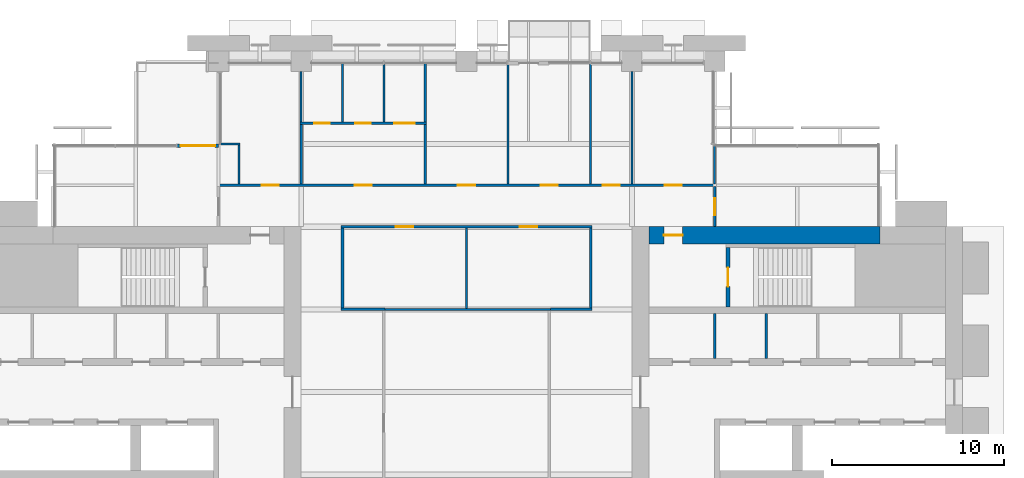
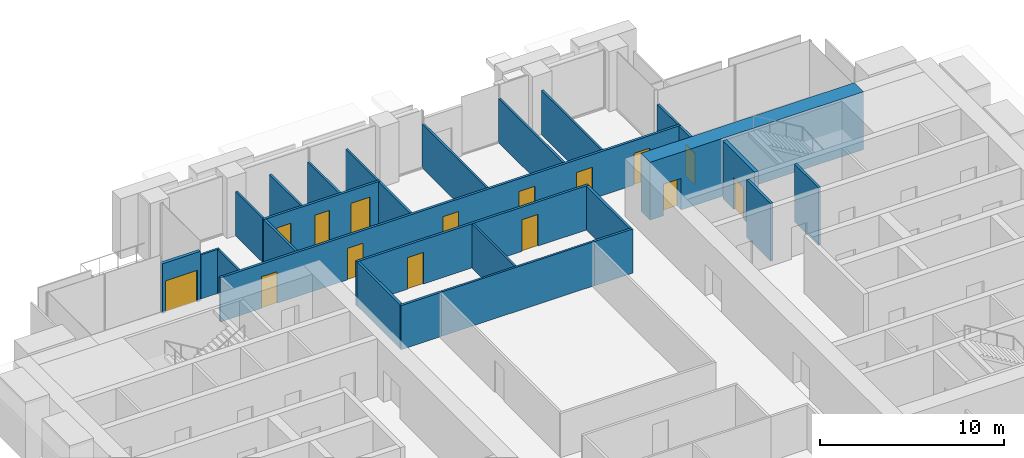
# One storey, part 12 of 15: 27 walls, 15 doors, 15 openings.
"""IFC4 building model written with IfcOpenShell, lengths in metres."""

from ifc_helpers import new_model, si_unit, direction, frame, frame_2d, origin, place, context, subcontext, project, spatial, rectangle, extrude, material, layer, layer_set, type_object, element, fill, save


model = new_model("IFC4")

# Units and contexts
model_context = context("Model", 3, precision=1e-05, world=origin(), true_north=direction((0.0, 1.0)))
body_context = subcontext(model_context, "Body", "Model", "MODEL_VIEW")
ifc_project = project(units=[si_unit("LENGTHUNIT", "METRE"), si_unit("AREAUNIT", "SQUARE_METRE"), si_unit("VOLUMEUNIT", "CUBIC_METRE"), si_unit("PLANEANGLEUNIT", "RADIAN"), si_unit("MASSUNIT", "GRAM", prefix="KILO")], contexts=[model_context])

# Site, building, storey
site_placement = place(None, origin())
site = spatial("IfcSite", under=ifc_project, at=site_placement, CompositionType="ELEMENT")
building_placement = place(site_placement, origin())
building = spatial("IfcBuilding", under=site, at=building_placement, Name="Baori Bourse Tower", CompositionType="ELEMENT")
storey_placement = place(building_placement, frame((0.0, 0.0, 116.10009765625)))
storey = spatial("IfcBuildingStorey", under=building, at=storey_placement, Name="L24", CompositionType="ELEMENT", Elevation=116.10009765625)

# Walls
ifc_material_1 = material(Name="Blockwork partition", Category="masonry")
ifc_layer_1 = layer(ifc_material_1, 0.14990234375)
ifc_layer_set_1 = layer_set([ifc_layer_1], Name="Core partition 150")
wall_type_1 = type_object("IfcWallType", Name="Core partition 150", PredefinedType="PARTITIONING", material=ifc_layer_set_1)
for number, where, z_axis, x_axis, name in (
    (1, (46.199951171875, 30.75, 0.0), (0.0, 0.0, 1.0), (0.0, 1.0, 0.0), "Partition wall E23"),
    (2, (43.199951171875, 30.75, 0.0), (0.0, 0.0, 1.0), (0.0, 1.0, 0.0), "Partition wall E24"),
):
    element("IfcWall", number, at=place(storey_placement, frame(where, z_axis=z_axis, x_axis=x_axis)), inside=storey, type_object=wall_type_1, Name=name, PredefinedType="PARTITIONING", context=body_context, shape_type="SweptSolid", body=[
        extrude(rectangle(XDim=2.60009765625, YDim=0.14990234375, at=frame_2d((1.300048828125, 0.0))), origin(), (0.0, 0.0, 1.0), 3.83984375),
    ])

# Wall, opening, door
ifc_material_2 = material(Name="Concrete f'c 60 MPa", Category="concrete")
ifc_layer_2 = layer(ifc_material_2, 1.0)
ifc_layer_set_2 = layer_set([ifc_layer_2], Name="Core wall 1000 f'c 60")
wall_type_2 = type_object("IfcWallType", Name="Core wall 1000 f'c 60", PredefinedType="SHEAR", material=ifc_layer_set_2)
wall_1_placement = place(storey_placement, frame((39.39990234375, 37.89990234375, 0.0), z_axis=(0.0, 0.0, 1.0), x_axis=(1.0, 0.0, 0.0)))
wall_1 = element("IfcWall", 3, at=wall_1_placement, inside=storey, type_object=wall_type_2, Name="Core wall E30", PredefinedType="SHEAR", context=body_context, shape_type="SweptSolid", body=[
    extrude(rectangle(XDim=13.400146484375, YDim=1.0, at=frame_2d((6.7001953125, 0.0))), origin(), (0.0, 0.0, 1.0), 3.83984375),
])
opening_1_placement = place(wall_1_placement, frame((0.85009765625, 0.0, 0.0)))
opening_1 = element("IfcOpeningElement", 4, at=opening_1_placement, cuts=wall_1, Name="Opening L24-D204", PredefinedType="OPENING", context=body_context, shape_type="SweptSolid", body=[
    extrude(rectangle(XDim=1.10009765625, YDim=2.10009765625, at=frame_2d((0.550048828125, 1.050048828125))), frame((0.0, 0.510009765625, 0.0), z_axis=(0.0, -1.0, 0.0), x_axis=(1.0, 0.0, 0.0)), (0.0, 0.0, 1.0), 1.02001953125),
])
ifc_material_3 = material(Name="Painted steel door", Category="steel")
door_type_1 = type_object("IfcDoorType", Name="Stair door 1100", OperationType="SINGLE_SWING_LEFT", PredefinedType="DOOR", material=ifc_material_3)
door_1_placement = place(opening_1_placement, origin())
door_1 = element("IfcDoor", 5, at=door_1_placement, inside=storey, type_object=door_type_1, Name="Stair vestibule door B E L24", OperationType="SINGLE_SWING_LEFT", OverallHeight=2.10009765625, OverallWidth=1.10009765625, PredefinedType="DOOR", context=body_context, shape_type="SweptSolid", body=[
    extrude(rectangle(XDim=1.10009765625, YDim=2.10009765625, at=frame_2d((0.550048828125, 1.050048828125))), frame((0.0, 0.02490234375, 0.0), z_axis=(0.0, -1.0, 0.0), x_axis=(1.0, 0.0, 0.0)), (0.0, 0.0, 1.0), 0.050048828125),
])
fill(opening_1, door_1)

# Walls
ifc_material_4 = material(Name="Gypsum board partition")
ifc_layer_3 = layer(ifc_material_4, 0.14990234375)
ifc_layer_set_3 = layer_set([ifc_layer_3], Name="Corridor partition 150")
wall_type_3 = type_object("IfcWallType", Name="Corridor partition 150", PredefinedType="PARTITIONING", material=ifc_layer_set_3)
wall_2_placement = place(storey_placement, frame((21.52490234375, 33.60009765625, 0.0), z_axis=(0.0, 0.0, 1.0), x_axis=(1.0, 0.0, 0.0)))
element("IfcWall", 6, at=wall_2_placement, inside=storey, type_object=wall_type_3, Name="Partition", PredefinedType="PARTITIONING", context=body_context, shape_type="SweptSolid", body=[
    extrude(rectangle(XDim=2.550048828125, YDim=0.14990234375, at=frame_2d((1.27490234375, 0.0))), origin(), (0.0, 0.0, 1.0), 2.935546875),
])
wall_3_placement = place(storey_placement, frame((33.675048828125, 33.60009765625, 0.0), z_axis=(0.0, 0.0, 1.0), x_axis=(1.0, 0.0, 0.0)))
element("IfcWall", 7, at=wall_3_placement, inside=storey, type_object=wall_type_3, Name="Partition", PredefinedType="PARTITIONING", context=body_context, shape_type="SweptSolid", body=[
    extrude(rectangle(XDim=2.39990234375, YDim=0.14990234375, at=frame_2d((1.199951171875, 0.0))), origin(), (0.0, 0.0, 1.0), 2.935546875),
])

# Wall, openings, doors
wall_4_placement = place(storey_placement, frame((21.52490234375, 38.39990234375, 0.0), z_axis=(0.0, 0.0, 1.0), x_axis=(1.0, 0.0, 0.0)))
wall_4 = element("IfcWall", 8, at=wall_4_placement, inside=storey, type_object=wall_type_3, Name="Partition", PredefinedType="PARTITIONING", context=body_context, shape_type="SweptSolid", body=[
    extrude(rectangle(XDim=14.550048828125, YDim=0.14990234375, at=frame_2d((7.27490234375, 0.0))), origin(), (0.0, 0.0, 1.0), 2.935546875),
])
opening_2_placement = place(wall_4_placement, frame((3.175048828125, 0.0, 0.0)))
opening_2 = element("IfcOpeningElement", 9, at=opening_2_placement, cuts=wall_4, Name="Opening L24-D10", PredefinedType="OPENING", context=body_context, shape_type="SweptSolid", body=[
    extrude(rectangle(XDim=1.0, YDim=2.10009765625, at=frame_2d((0.5, 1.050048828125))), frame((0.0, 0.0849609375, 0.0), z_axis=(0.0, -1.0, 0.0), x_axis=(1.0, 0.0, 0.0)), (0.0, 0.0, 1.0), 0.169921875),
])
opening_3_placement = place(wall_4_placement, frame((10.375, 0.0, 0.0)))
opening_3 = element("IfcOpeningElement", 10, at=opening_3_placement, cuts=wall_4, Name="Opening L24-D11", PredefinedType="OPENING", context=body_context, shape_type="SweptSolid", body=[
    extrude(rectangle(XDim=1.0, YDim=2.10009765625, at=frame_2d((0.5, 1.050048828125))), frame((0.0, 0.0849609375, 0.0), z_axis=(0.0, -1.0, 0.0), x_axis=(1.0, 0.0, 0.0)), (0.0, 0.0, 1.0), 0.169921875),
])
ifc_material_5 = material(Name="Timber door leaf", Category="wood")
door_type_2 = type_object("IfcDoorType", Name="Door 1000 x 2100", OperationType="SINGLE_SWING_LEFT", PredefinedType="DOOR", material=ifc_material_5)
door_2_placement = place(opening_2_placement, origin())
door_2 = element("IfcDoor", 11, at=door_2_placement, inside=storey, type_object=door_type_2, Name="Door", OperationType="SINGLE_SWING_LEFT", OverallHeight=2.10009765625, OverallWidth=1.0, PredefinedType="DOOR", context=body_context, shape_type="SweptSolid", body=[
    extrude(rectangle(XDim=1.0, YDim=2.10009765625, at=frame_2d((0.5, 1.050048828125))), frame((0.0, 0.02490234375, 0.0), z_axis=(0.0, -1.0, 0.0), x_axis=(1.0, 0.0, 0.0)), (0.0, 0.0, 1.0), 0.050048828125),
])
fill(opening_2, door_2)
door_3_placement = place(opening_3_placement, origin())
door_3 = element("IfcDoor", 12, at=door_3_placement, inside=storey, type_object=door_type_2, Name="Door", OperationType="SINGLE_SWING_RIGHT", OverallHeight=2.10009765625, OverallWidth=1.0, PredefinedType="DOOR", context=body_context, shape_type="SweptSolid", body=[
    extrude(rectangle(XDim=1.0, YDim=2.10009765625, at=frame_2d((0.5, 1.050048828125))), frame((0.0, 0.02490234375, 0.0), z_axis=(0.0, -1.0, 0.0), x_axis=(1.0, 0.0, 0.0)), (0.0, 0.0, 1.0), 0.050048828125),
])
fill(opening_3, door_3)

wall_5_placement = place(storey_placement, frame((14.324951171875, 40.800048828125, 0.0), z_axis=(0.0, 0.0, 1.0), x_axis=(1.0, 0.0, 0.0)))
wall_5 = element("IfcWall", 13, at=wall_5_placement, inside=storey, type_object=wall_type_3, Name="Partition", PredefinedType="PARTITIONING", context=body_context, shape_type="SweptSolid", body=[
    extrude(rectangle(XDim=28.949951171875, YDim=0.14990234375, at=frame_2d((14.47509765625, 0.0))), origin(), (0.0, 0.0, 1.0), 2.935546875),
])
opening_4_placement = place(wall_5_placement, frame((2.574951171875, 0.0, 0.0)))
opening_4 = element("IfcOpeningElement", 14, at=opening_4_placement, cuts=wall_5, Name="Opening L24-D12", PredefinedType="OPENING", context=body_context, shape_type="SweptSolid", body=[
    extrude(rectangle(XDim=1.0, YDim=2.10009765625, at=frame_2d((0.5, 1.050048828125))), frame((0.0, 0.0849609375, 0.0), z_axis=(0.0, -1.0, 0.0), x_axis=(1.0, 0.0, 0.0)), (0.0, 0.0, 1.0), 0.169921875),
])
opening_5_placement = place(wall_5_placement, frame((7.97509765625, 0.0, 0.0)))
opening_5 = element("IfcOpeningElement", 15, at=opening_5_placement, cuts=wall_5, Name="Opening L24-D13", PredefinedType="OPENING", context=body_context, shape_type="SweptSolid", body=[
    extrude(rectangle(XDim=1.0, YDim=2.10009765625, at=frame_2d((0.5, 1.050048828125))), frame((0.0, 0.0849609375, 0.0), z_axis=(0.0, -1.0, 0.0), x_axis=(1.0, 0.0, 0.0)), (0.0, 0.0, 1.0), 0.169921875),
])
opening_6_placement = place(wall_5_placement, frame((13.97509765625, 0.0, 0.0)))
opening_6 = element("IfcOpeningElement", 16, at=opening_6_placement, cuts=wall_5, Name="Opening L24-D14", PredefinedType="OPENING", context=body_context, shape_type="SweptSolid", body=[
    extrude(rectangle(XDim=1.0, YDim=2.10009765625, at=frame_2d((0.5, 1.050048828125))), frame((0.0, 0.0849609375, 0.0), z_axis=(0.0, -1.0, 0.0), x_axis=(1.0, 0.0, 0.0)), (0.0, 0.0, 1.0), 0.169921875),
])
opening_7_placement = place(wall_5_placement, frame((18.77490234375, 0.0, 0.0)))
opening_7 = element("IfcOpeningElement", 17, at=opening_7_placement, cuts=wall_5, Name="Opening L24-D15", PredefinedType="OPENING", context=body_context, shape_type="SweptSolid", body=[
    extrude(rectangle(XDim=1.0, YDim=2.10009765625, at=frame_2d((0.5, 1.050048828125))), frame((0.0, 0.0849609375, 0.0), z_axis=(0.0, -1.0, 0.0), x_axis=(1.0, 0.0, 0.0)), (0.0, 0.0, 1.0), 0.169921875),
])
opening_8_placement = place(wall_5_placement, frame((22.375, 0.0, 0.0)))
opening_8 = element("IfcOpeningElement", 18, at=opening_8_placement, cuts=wall_5, Name="Opening L24-D16", PredefinedType="OPENING", context=body_context, shape_type="SweptSolid", body=[
    extrude(rectangle(XDim=1.0, YDim=2.10009765625, at=frame_2d((0.5, 1.050048828125))), frame((0.0, 0.0849609375, 0.0), z_axis=(0.0, -1.0, 0.0), x_axis=(1.0, 0.0, 0.0)), (0.0, 0.0, 1.0), 0.169921875),
])
opening_9_placement = place(wall_5_placement, frame((25.97509765625, 0.0, 0.0)))
opening_9 = element("IfcOpeningElement", 19, at=opening_9_placement, cuts=wall_5, Name="Opening L24-D17", PredefinedType="OPENING", context=body_context, shape_type="SweptSolid", body=[
    extrude(rectangle(XDim=1.0, YDim=2.10009765625, at=frame_2d((0.5, 1.050048828125))), frame((0.0, 0.0849609375, 0.0), z_axis=(0.0, -1.0, 0.0), x_axis=(1.0, 0.0, 0.0)), (0.0, 0.0, 1.0), 0.169921875),
])
door_4_placement = place(opening_4_placement, origin())
door_4 = element("IfcDoor", 20, at=door_4_placement, inside=storey, type_object=door_type_2, Name="Door", OperationType="SINGLE_SWING_RIGHT", OverallHeight=2.10009765625, OverallWidth=1.0, PredefinedType="DOOR", context=body_context, shape_type="SweptSolid", body=[
    extrude(rectangle(XDim=1.0, YDim=2.10009765625, at=frame_2d((0.5, 1.050048828125))), frame((0.0, 0.02490234375, 0.0), z_axis=(0.0, -1.0, 0.0), x_axis=(1.0, 0.0, 0.0)), (0.0, 0.0, 1.0), 0.050048828125),
])
fill(opening_4, door_4)
door_5_placement = place(opening_5_placement, origin())
door_5 = element("IfcDoor", 21, at=door_5_placement, inside=storey, type_object=door_type_2, Name="Door", OperationType="SINGLE_SWING_LEFT", OverallHeight=2.10009765625, OverallWidth=1.0, PredefinedType="DOOR", context=body_context, shape_type="SweptSolid", body=[
    extrude(rectangle(XDim=1.0, YDim=2.10009765625, at=frame_2d((0.5, 1.050048828125))), frame((0.0, 0.02490234375, 0.0), z_axis=(0.0, -1.0, 0.0), x_axis=(1.0, 0.0, 0.0)), (0.0, 0.0, 1.0), 0.050048828125),
])
fill(opening_5, door_5)
door_6_placement = place(opening_6_placement, origin())
door_6 = element("IfcDoor", 22, at=door_6_placement, inside=storey, type_object=door_type_2, Name="Door", OperationType="SINGLE_SWING_LEFT", OverallHeight=2.10009765625, OverallWidth=1.0, PredefinedType="DOOR", context=body_context, shape_type="SweptSolid", body=[
    extrude(rectangle(XDim=1.0, YDim=2.10009765625, at=frame_2d((0.5, 1.050048828125))), frame((0.0, 0.02490234375, 0.0), z_axis=(0.0, -1.0, 0.0), x_axis=(1.0, 0.0, 0.0)), (0.0, 0.0, 1.0), 0.050048828125),
])
fill(opening_6, door_6)
door_7_placement = place(opening_7_placement, origin())
door_7 = element("IfcDoor", 23, at=door_7_placement, inside=storey, type_object=door_type_2, Name="Door", OperationType="SINGLE_SWING_LEFT", OverallHeight=2.10009765625, OverallWidth=1.0, PredefinedType="DOOR", context=body_context, shape_type="SweptSolid", body=[
    extrude(rectangle(XDim=1.0, YDim=2.10009765625, at=frame_2d((0.5, 1.050048828125))), frame((0.0, 0.02490234375, 0.0), z_axis=(0.0, -1.0, 0.0), x_axis=(1.0, 0.0, 0.0)), (0.0, 0.0, 1.0), 0.050048828125),
])
fill(opening_7, door_7)
door_8_placement = place(opening_8_placement, origin())
door_8 = element("IfcDoor", 24, at=door_8_placement, inside=storey, type_object=door_type_2, Name="Door", OperationType="SINGLE_SWING_LEFT", OverallHeight=2.10009765625, OverallWidth=1.0, PredefinedType="DOOR", context=body_context, shape_type="SweptSolid", body=[
    extrude(rectangle(XDim=1.0, YDim=2.10009765625, at=frame_2d((0.5, 1.050048828125))), frame((0.0, 0.02490234375, 0.0), z_axis=(0.0, -1.0, 0.0), x_axis=(1.0, 0.0, 0.0)), (0.0, 0.0, 1.0), 0.050048828125),
])
fill(opening_8, door_8)
door_9_placement = place(opening_9_placement, origin())
door_9 = element("IfcDoor", 25, at=door_9_placement, inside=storey, type_object=door_type_2, Name="Door", OperationType="SINGLE_SWING_LEFT", OverallHeight=2.10009765625, OverallWidth=1.0, PredefinedType="DOOR", context=body_context, shape_type="SweptSolid", body=[
    extrude(rectangle(XDim=1.0, YDim=2.10009765625, at=frame_2d((0.5, 1.050048828125))), frame((0.0, 0.02490234375, 0.0), z_axis=(0.0, -1.0, 0.0), x_axis=(1.0, 0.0, 0.0)), (0.0, 0.0, 1.0), 0.050048828125),
])
fill(opening_9, door_9)

wall_6_placement = place(storey_placement, frame((19.125, 44.39990234375, 0.0), z_axis=(0.0, 0.0, 1.0), x_axis=(1.0, 0.0, 0.0)))
wall_6 = element("IfcWall", 26, at=wall_6_placement, inside=storey, type_object=wall_type_3, Name="Partition", PredefinedType="PARTITIONING", context=body_context, shape_type="SweptSolid", body=[
    extrude(rectangle(XDim=7.35009765625, YDim=0.14990234375, at=frame_2d((3.675048828125, 0.0))), origin(), (0.0, 0.0, 1.0), 2.935546875),
])
opening_10_placement = place(wall_6_placement, frame((0.824951171875, 0.0, 0.0)))
opening_10 = element("IfcOpeningElement", 27, at=opening_10_placement, cuts=wall_6, Name="Opening L24-D18", PredefinedType="OPENING", context=body_context, shape_type="SweptSolid", body=[
    extrude(rectangle(XDim=0.89990234375, YDim=2.10009765625, at=frame_2d((0.449951171875, 1.050048828125))), frame((0.0, 0.0849609375, 0.0), z_axis=(0.0, -1.0, 0.0), x_axis=(1.0, 0.0, 0.0)), (0.0, 0.0, 1.0), 0.169921875),
])
opening_11_placement = place(wall_6_placement, frame((3.22509765625, 0.0, 0.0)))
opening_11 = element("IfcOpeningElement", 28, at=opening_11_placement, cuts=wall_6, Name="Opening L24-D19", PredefinedType="OPENING", context=body_context, shape_type="SweptSolid", body=[
    extrude(rectangle(XDim=0.89990234375, YDim=2.10009765625, at=frame_2d((0.449951171875, 1.050048828125))), frame((0.0, 0.0849609375, 0.0), z_axis=(0.0, -1.0, 0.0), x_axis=(1.0, 0.0, 0.0)), (0.0, 0.0, 1.0), 0.169921875),
])
opening_12_placement = place(wall_6_placement, frame((5.47509765625, 0.0, 0.0)))
opening_12 = element("IfcOpeningElement", 29, at=opening_12_placement, cuts=wall_6, Name="Opening L24-D20", PredefinedType="OPENING", context=body_context, shape_type="SweptSolid", body=[
    extrude(rectangle(XDim=1.199951171875, YDim=2.10009765625, at=frame_2d((0.60009765625, 1.050048828125))), frame((0.0, 0.0849609375, 0.0), z_axis=(0.0, -1.0, 0.0), x_axis=(1.0, 0.0, 0.0)), (0.0, 0.0, 1.0), 0.169921875),
])
ifc_material_6 = material(Name="Timber door leaf", Category="wood")
door_type_3 = type_object("IfcDoorType", Name="Door 1200 x 2100", OperationType="SINGLE_SWING_LEFT", PredefinedType="DOOR", material=ifc_material_6)
door_10_placement = place(opening_12_placement, origin())
door_10 = element("IfcDoor", 30, at=door_10_placement, inside=storey, type_object=door_type_3, Name="Door", OperationType="SINGLE_SWING_LEFT", OverallHeight=2.10009765625, OverallWidth=1.199951171875, PredefinedType="DOOR", context=body_context, shape_type="SweptSolid", body=[
    extrude(rectangle(XDim=1.199951171875, YDim=2.10009765625, at=frame_2d((0.60009765625, 1.050048828125))), frame((0.0, 0.02490234375, 0.0), z_axis=(0.0, -1.0, 0.0), x_axis=(1.0, 0.0, 0.0)), (0.0, 0.0, 1.0), 0.050048828125),
])
fill(opening_12, door_10)
ifc_material_7 = material(Name="Timber door leaf", Category="wood")
door_type_4 = type_object("IfcDoorType", Name="Door 900 x 2100", OperationType="SINGLE_SWING_LEFT", PredefinedType="DOOR", material=ifc_material_7)
door_11_placement = place(opening_10_placement, origin())
door_11 = element("IfcDoor", 31, at=door_11_placement, inside=storey, type_object=door_type_4, Name="Door", OperationType="SINGLE_SWING_RIGHT", OverallHeight=2.10009765625, OverallWidth=0.89990234375, PredefinedType="DOOR", context=body_context, shape_type="SweptSolid", body=[
    extrude(rectangle(XDim=0.89990234375, YDim=2.10009765625, at=frame_2d((0.449951171875, 1.050048828125))), frame((0.0, 0.02490234375, 0.0), z_axis=(0.0, -1.0, 0.0), x_axis=(1.0, 0.0, 0.0)), (0.0, 0.0, 1.0), 0.050048828125),
])
fill(opening_10, door_11)
door_12_placement = place(opening_11_placement, origin())
door_12 = element("IfcDoor", 32, at=door_12_placement, inside=storey, type_object=door_type_4, Name="Door", OperationType="SINGLE_SWING_RIGHT", OverallHeight=2.10009765625, OverallWidth=0.89990234375, PredefinedType="DOOR", context=body_context, shape_type="SweptSolid", body=[
    extrude(rectangle(XDim=0.89990234375, YDim=2.10009765625, at=frame_2d((0.449951171875, 1.050048828125))), frame((0.0, 0.02490234375, 0.0), z_axis=(0.0, -1.0, 0.0), x_axis=(1.0, 0.0, 0.0)), (0.0, 0.0, 1.0), 0.050048828125),
])
fill(opening_11, door_12)

# Walls
wall_7_placement = place(storey_placement, frame((19.199951171875, 40.875, 0.0), z_axis=(0.0, 0.0, 1.0), x_axis=(0.0, 1.0, 0.0)))
element("IfcWall", 33, at=wall_7_placement, inside=storey, type_object=wall_type_3, Name="Partition", PredefinedType="PARTITIONING", context=body_context, shape_type="SweptSolid", body=[
    extrude(rectangle(XDim=3.449951171875, YDim=0.14990234375, at=frame_2d((1.72509765625, 0.0))), origin(), (0.0, 0.0, 1.0), 2.935546875),
])
wall_8_placement = place(storey_placement, frame((21.60009765625, 33.675048828125, 0.0), z_axis=(0.0, 0.0, 1.0), x_axis=(0.0, 1.0, 0.0)))
element("IfcWall", 34, at=wall_8_placement, inside=storey, type_object=wall_type_3, Name="Partition", PredefinedType="PARTITIONING", context=body_context, shape_type="SweptSolid", body=[
    extrude(rectangle(XDim=4.64990234375, YDim=0.14990234375, at=frame_2d((2.324951171875, 0.0))), origin(), (0.0, 0.0, 1.0), 2.935546875),
])
wall_9_placement = place(storey_placement, frame((26.39990234375, 40.875, 0.0), z_axis=(0.0, 0.0, 1.0), x_axis=(0.0, 1.0, 0.0)))
element("IfcWall", 35, at=wall_9_placement, inside=storey, type_object=wall_type_3, Name="Partition", PredefinedType="PARTITIONING", context=body_context, shape_type="SweptSolid", body=[
    extrude(rectangle(XDim=3.449951171875, YDim=0.14990234375, at=frame_2d((1.72509765625, 0.0))), origin(), (0.0, 0.0, 1.0), 2.935546875),
])
wall_10_placement = place(storey_placement, frame((36.0, 33.675048828125, 0.0), z_axis=(0.0, 0.0, 1.0), x_axis=(0.0, 1.0, 0.0)))
element("IfcWall", 36, at=wall_10_placement, inside=storey, type_object=wall_type_3, Name="Partition", PredefinedType="PARTITIONING", context=body_context, shape_type="SweptSolid", body=[
    extrude(rectangle(XDim=4.64990234375, YDim=0.14990234375, at=frame_2d((2.324951171875, 0.0))), origin(), (0.0, 0.0, 1.0), 2.935546875),
])

# Wall, opening, door
wall_11_placement = place(storey_placement, frame((43.199951171875, 38.39990234375, 0.0), z_axis=(0.0, 0.0, 1.0), x_axis=(0.0, 1.0, 0.0)))
wall_11 = element("IfcWall", 37, at=wall_11_placement, inside=storey, type_object=wall_type_3, Name="Partition", PredefinedType="PARTITIONING", context=body_context, shape_type="SweptSolid", body=[
    extrude(rectangle(XDim=2.3251953125, YDim=0.14990234375, at=frame_2d((1.16259765625, 0.0))), origin(), (0.0, 0.0, 1.0), 2.935546875),
])
opening_13_placement = place(wall_11_placement, frame((0.66259765625, 0.0, 0.0)))
opening_13 = element("IfcOpeningElement", 38, at=opening_13_placement, cuts=wall_11, Name="Opening L24-D25", PredefinedType="OPENING", context=body_context, shape_type="SweptSolid", body=[
    extrude(rectangle(XDim=1.0, YDim=2.10009765625, at=frame_2d((0.5, 1.050048828125))), frame((0.0, 0.0849609375, 0.0), z_axis=(0.0, -1.0, 0.0), x_axis=(1.0, 0.0, 0.0)), (0.0, 0.0, 1.0), 0.169921875),
])
door_13_placement = place(opening_13_placement, origin())
door_13 = element("IfcDoor", 39, at=door_13_placement, inside=storey, type_object=door_type_2, Name="Door", OperationType="SINGLE_SWING_LEFT", OverallHeight=2.10009765625, OverallWidth=1.0, PredefinedType="DOOR", context=body_context, shape_type="SweptSolid", body=[
    extrude(rectangle(XDim=1.0, YDim=2.10009765625, at=frame_2d((0.5, 1.050048828125))), frame((0.0, 0.02490234375, 0.0), z_axis=(0.0, -1.0, 0.0), x_axis=(1.0, 0.0, 0.0)), (0.0, 0.0, 1.0), 0.050048828125),
])
fill(opening_13, door_13)

ifc_material_8 = material(Name="Pale anodised aluminium", Category="aluminium")
ifc_layer_4 = layer(ifc_material_8, 0.199951171875)
ifc_layer_set_4 = layer_set([ifc_layer_4], Name="EW1 External wall bay")
wall_type_4 = type_object("IfcWallType", Name="EW1 External wall bay", PredefinedType="SOLIDWALL", material=ifc_layer_set_4)
wall_12_placement = place(storey_placement, frame((14.39990234375, 43.10009765625, 0.0), z_axis=(0.0, 0.0, 1.0), x_axis=(-1.0, 0.0, 0.0)))
wall_12 = element("IfcWall", 40, at=wall_12_placement, inside=storey, type_object=wall_type_4, Name="External wall bay L24 2", PredefinedType="SOLIDWALL", context=body_context, shape_type="SweptSolid", body=[
    extrude(rectangle(XDim=2.39990234375, YDim=0.199951171875, at=frame_2d((1.199951171875, 0.0))), origin(), (0.0, 0.0, 1.0), 3.29638671875),
])
opening_14_placement = place(wall_12_placement, frame((0.199951171875, 0.0, 0.0)))
opening_14 = element("IfcOpeningElement", 41, at=opening_14_placement, cuts=wall_12, Name="Opening L24-D92", PredefinedType="OPENING", context=body_context, shape_type="SweptSolid", body=[
    extrude(rectangle(XDim=2.0, YDim=2.10009765625, at=frame_2d((1.0, 1.050048828125))), frame((0.0, 0.10986328125, 0.0), z_axis=(0.0, -1.0, 0.0), x_axis=(1.0, 0.0, 0.0)), (0.0, 0.0, 1.0), 0.219970703125),
])
ifc_material_9 = material(Name="Pale anodised aluminium", Category="aluminium")
door_type_5 = type_object("IfcDoorType", Name="TR1 Terrace door", OperationType="DOUBLE_DOOR_SINGLE_SWING", PredefinedType="DOOR", material=ifc_material_9)
door_14_placement = place(opening_14_placement, origin())
door_14 = element("IfcDoor", 42, at=door_14_placement, inside=storey, type_object=door_type_5, Name="Terrace door L24 2", OperationType="SINGLE_SWING_LEFT", OverallHeight=2.10009765625, OverallWidth=2.0, PredefinedType="DOOR", context=body_context, shape_type="SweptSolid", body=[
    extrude(rectangle(XDim=2.0, YDim=2.10009765625, at=frame_2d((1.0, 1.050048828125))), frame((0.0, 0.02490234375, 0.0), z_axis=(0.0, -1.0, 0.0), x_axis=(1.0, 0.0, 0.0)), (0.0, 0.0, 1.0), 0.050048828125),
])
fill(opening_14, door_14)

# Walls
ifc_material_10 = material(Name="Gypsum board partition")
ifc_layer_5 = layer(ifc_material_10, 0.125)
ifc_layer_set_5 = layer_set([ifc_layer_5], Name="Partition 125")
wall_type_5 = type_object("IfcWallType", Name="Partition 125", PredefinedType="PARTITIONING", material=ifc_layer_set_5)
wall_13_placement = place(storey_placement, frame((24.074951171875, 33.60009765625, 0.0), z_axis=(0.0, 0.0, 1.0), x_axis=(1.0, 0.0, 0.0)))
element("IfcWall", 43, at=wall_13_placement, inside=storey, type_object=wall_type_5, Name="Partition", PredefinedType="PARTITIONING", context=body_context, shape_type="SweptSolid", body=[
    extrude(rectangle(XDim=9.60009765625, YDim=0.125, at=frame_2d((4.800048828125, 0.0))), origin(), (0.0, 0.0, 1.0), 2.935546875),
])
wall_14_placement = place(storey_placement, frame((14.5, 43.199951171875, 0.0), z_axis=(0.0, 0.0, 1.0), x_axis=(1.0, 0.0, 0.0)))
element("IfcWall", 44, at=wall_14_placement, inside=storey, type_object=wall_type_5, Name="Partition", PredefinedType="PARTITIONING", context=body_context, shape_type="SweptSolid", body=[
    extrude(rectangle(XDim=1.16259765625, YDim=0.125, at=frame_2d((0.581298828125, 0.0))), origin(), (0.0, 0.0, 1.0), 2.935546875),
])
wall_15_placement = place(storey_placement, frame((15.60009765625, 40.875, 0.0), z_axis=(0.0, 0.0, 1.0), x_axis=(0.0, 1.0, 0.0)))
element("IfcWall", 45, at=wall_15_placement, inside=storey, type_object=wall_type_5, Name="Partition", PredefinedType="PARTITIONING", context=body_context, shape_type="SweptSolid", body=[
    extrude(rectangle(XDim=2.262451171875, YDim=0.125, at=frame_2d((1.13134765625, 0.0))), origin(), (0.0, 0.0, 1.0), 2.935546875),
])
wall_16_placement = place(storey_placement, frame((19.199951171875, 44.47509765625, 0.0), z_axis=(0.0, 0.0, 1.0), x_axis=(0.0, 1.0, 0.0)))
element("IfcWall", 46, at=wall_16_placement, inside=storey, type_object=wall_type_5, Name="Partition", PredefinedType="PARTITIONING", context=body_context, shape_type="SweptSolid", body=[
    extrude(rectangle(XDim=2.9248046875, YDim=0.125, at=frame_2d((1.46240234375, 0.0))), origin(), (0.0, 0.0, 1.0), 2.935546875),
])
for number, where, z_axis, x_axis, name in (
    (47, (21.60009765625, 44.47509765625, 0.0), (0.0, 0.0, 1.0), (0.0, 1.0, 0.0), "Partition"),
    (48, (24.0, 44.47509765625, 0.0), (0.0, 0.0, 1.0), (0.0, 1.0, 0.0), "Partition"),
    (49, (26.39990234375, 44.47509765625, 0.0), (0.0, 0.0, 1.0), (0.0, 1.0, 0.0), "Partition"),
):
    element("IfcWall", number, at=place(storey_placement, frame(where, z_axis=z_axis, x_axis=x_axis)), inside=storey, type_object=wall_type_5, Name=name, PredefinedType="PARTITIONING", context=body_context, shape_type="SweptSolid", body=[
        extrude(rectangle(XDim=3.4248046875, YDim=0.125, at=frame_2d((1.71240234375, 0.0))), origin(), (0.0, 0.0, 1.0), 2.935546875),
    ])
wall_17_placement = place(storey_placement, frame((28.800048828125, 33.66259765625, 0.0), z_axis=(0.0, 0.0, 1.0), x_axis=(0.0, 1.0, 0.0)))
element("IfcWall", 50, at=wall_17_placement, inside=storey, type_object=wall_type_5, Name="Partition", PredefinedType="PARTITIONING", context=body_context, shape_type="SweptSolid", body=[
    extrude(rectangle(XDim=4.662353515625, YDim=0.125, at=frame_2d((2.3310546875, 0.0))), origin(), (0.0, 0.0, 1.0), 2.935546875),
])
for number, where, z_axis, x_axis, name in (
    (51, (31.199951171875, 40.875, 0.0), (0.0, 0.0, 1.0), (0.0, 1.0, 0.0), "Partition"),
    (52, (36.0, 40.875, 0.0), (0.0, 0.0, 1.0), (0.0, 1.0, 0.0), "Partition"),
):
    element("IfcWall", number, at=place(storey_placement, frame(where, z_axis=z_axis, x_axis=x_axis)), inside=storey, type_object=wall_type_5, Name=name, PredefinedType="PARTITIONING", context=body_context, shape_type="SweptSolid", body=[
        extrude(rectangle(XDim=7.02490234375, YDim=0.125, at=frame_2d((3.512451171875, 0.0))), origin(), (0.0, 0.0, 1.0), 2.935546875),
    ])
wall_18_placement = place(storey_placement, frame((38.39990234375, 40.875, 0.0), z_axis=(0.0, 0.0, 1.0), x_axis=(0.0, 1.0, 0.0)))
element("IfcWall", 53, at=wall_18_placement, inside=storey, type_object=wall_type_5, Name="Partition", PredefinedType="PARTITIONING", context=body_context, shape_type="SweptSolid", body=[
    extrude(rectangle(XDim=6.52490234375, YDim=0.125, at=frame_2d((3.262451171875, 0.0))), origin(), (0.0, 0.0, 1.0), 2.935546875),
])
wall_19_placement = place(storey_placement, frame((43.199951171875, 40.875, 0.0), z_axis=(0.0, 0.0, 1.0), x_axis=(0.0, 1.0, 0.0)))
element("IfcWall", 54, at=wall_19_placement, inside=storey, type_object=wall_type_5, Name="Partition", PredefinedType="PARTITIONING", context=body_context, shape_type="SweptSolid", body=[
    extrude(rectangle(XDim=2.22509765625, YDim=0.125, at=frame_2d((1.112548828125, 0.0))), origin(), (0.0, 0.0, 1.0), 2.935546875),
])

# Wall, opening, door
ifc_material_11 = material(Name="Concrete f'c 60 MPa", Category="concrete")
ifc_layer_6 = layer(ifc_material_11, 0.25)
ifc_layer_set_6 = layer_set([ifc_layer_6], Name="Shaft wall 250 f'c 60")
wall_type_6 = type_object("IfcWallType", Name="Shaft wall 250 f'c 60", PredefinedType="SHEAR", material=ifc_layer_set_6)
wall_20_placement = place(storey_placement, frame((43.97509765625, 33.75, 0.0), z_axis=(0.0, 0.0, 1.0), x_axis=(0.0, 1.0, 0.0)))
wall_20 = element("IfcWall", 55, at=wall_20_placement, inside=storey, type_object=wall_type_6, Name="Core wall E27", PredefinedType="SHEAR", context=body_context, shape_type="SweptSolid", body=[
    extrude(rectangle(XDim=3.449951171875, YDim=0.25, at=frame_2d((1.72509765625, 0.0))), origin(), (0.0, 0.0, 1.0), 3.83984375),
])
opening_15_placement = place(wall_20_placement, frame((1.175048828125, 0.0, 0.0)))
opening_15 = element("IfcOpeningElement", 56, at=opening_15_placement, cuts=wall_20, Name="Opening L24-D203", PredefinedType="OPENING", context=body_context, shape_type="SweptSolid", body=[
    extrude(rectangle(XDim=1.10009765625, YDim=2.10009765625, at=frame_2d((0.550048828125, 1.050048828125))), frame((0.0, 0.135009765625, 0.0), z_axis=(0.0, -1.0, 0.0), x_axis=(1.0, 0.0, 0.0)), (0.0, 0.0, 1.0), 0.27001953125),
])
door_15_placement = place(opening_15_placement, origin())
door_15 = element("IfcDoor", 57, at=door_15_placement, inside=storey, type_object=door_type_1, Name="Stair door B E L24", OperationType="SINGLE_SWING_LEFT", OverallHeight=2.10009765625, OverallWidth=1.10009765625, PredefinedType="DOOR", context=body_context, shape_type="SweptSolid", body=[
    extrude(rectangle(XDim=1.10009765625, YDim=2.10009765625, at=frame_2d((0.550048828125, 1.050048828125))), frame((0.0, 0.02490234375, 0.0), z_axis=(0.0, -1.0, 0.0), x_axis=(1.0, 0.0, 0.0)), (0.0, 0.0, 1.0), 0.050048828125),
])
fill(opening_15, door_15)

save(model, "model.ifc")
